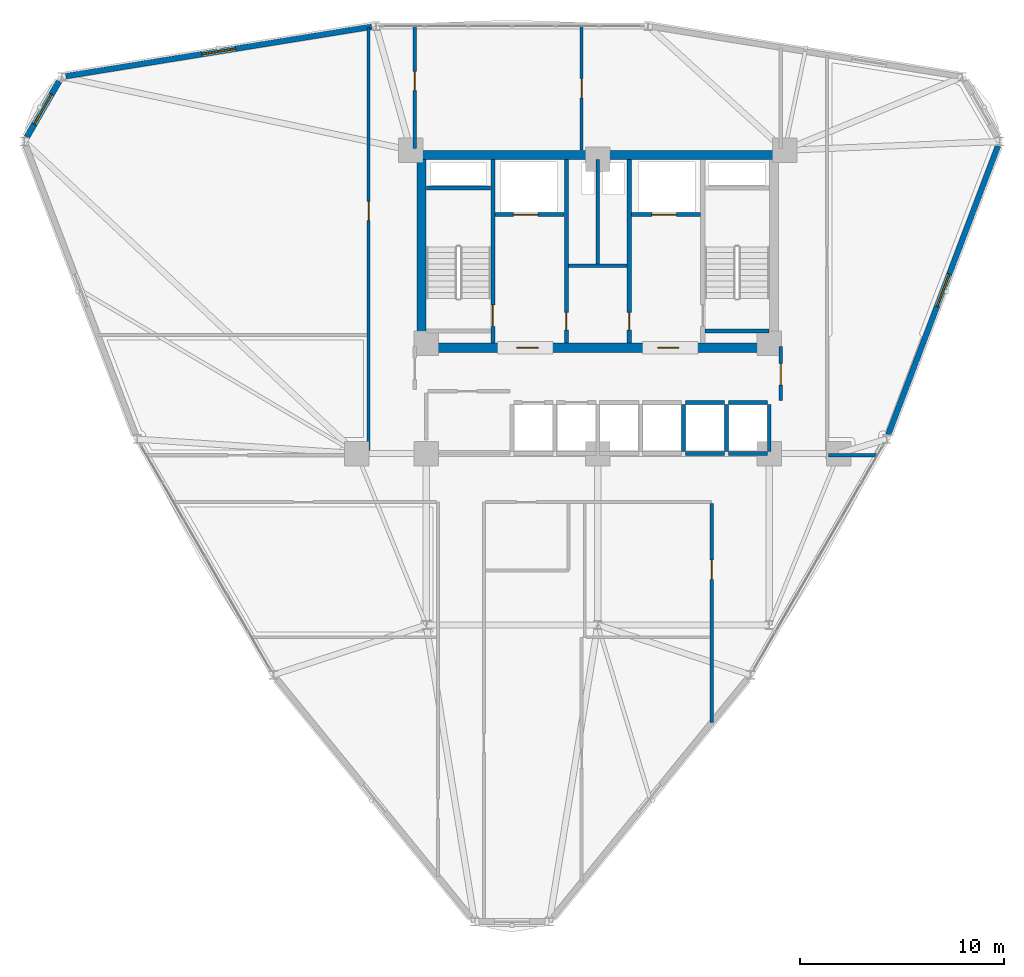
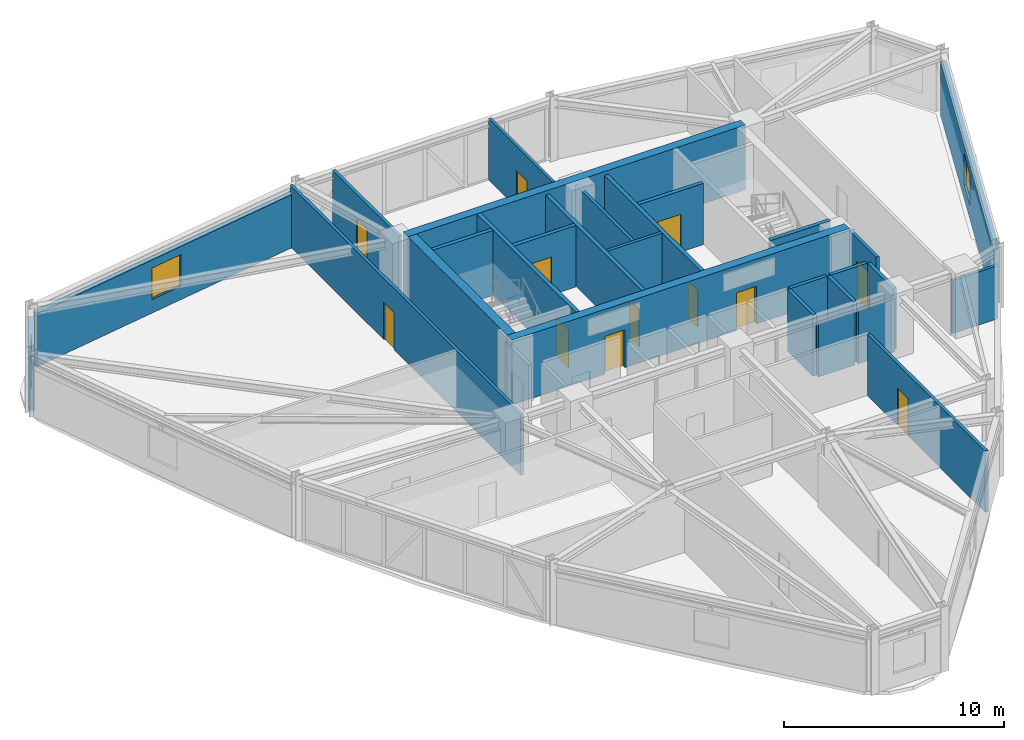
# One storey, part 13 of 18: 28 walls, 12 doors, 3 windows, 15 openings.
"""IFC4 building model written with IfcOpenShell, lengths in metres."""

from ifc_helpers import new_model, si_unit, derived_unit, direction, frame, frame_2d, origin, place, context, subcontext, project, spatial, rectangle, extrude, material, layer, layer_set, type_object, element, fill, save


model = new_model("IFC4")

# Units and contexts
model_context = context("Model", 3, precision=1e-05, world=origin(), true_north=direction((0.0, 1.0)))
body_context = subcontext(model_context, "Body", "Model", "MODEL_VIEW")
ifc_project = project(units=[si_unit("LENGTHUNIT", "METRE"), si_unit("AREAUNIT", "SQUARE_METRE"), si_unit("VOLUMEUNIT", "CUBIC_METRE"), si_unit("PLANEANGLEUNIT", "RADIAN"), si_unit("MASSUNIT", "GRAM", prefix="KILO"), derived_unit("THERMALTRANSMITTANCEUNIT", [(si_unit("POWERUNIT", "WATT"), 1), (si_unit("LENGTHUNIT", "METRE"), -2), (si_unit("THERMODYNAMICTEMPERATUREUNIT", "KELVIN"), -1)])], contexts=[model_context])

# Site, building, storey
site_placement = place(None, origin())
site = spatial("IfcSite", under=ifc_project, at=site_placement, CompositionType="ELEMENT")
building_placement = place(site_placement, origin())
building = spatial("IfcBuilding", under=site, at=building_placement, Name="Korsvarv Bourse and Concert Hall", CompositionType="ELEMENT")
storey_placement = place(building_placement, frame((0.0, 0.0, 139.800048828125)))
storey = spatial("IfcBuildingStorey", under=building, at=storey_placement, Name="L35", CompositionType="ELEMENT", Elevation=139.800048828125)

# Wall, opening, door
ifc_material_1 = material(Name="Concrete C50/60", Category="concrete")
ifc_layer_1 = layer(ifc_material_1, 0.3798828125)
ifc_layer_set_1 = layer_set([ifc_layer_1], Name="Concrete C50/60")
wall_type_1 = type_object("IfcWallType", Name="WL-CORE-380", PredefinedType="SHEAR", material=ifc_layer_set_1)
wall_1_placement = place(storey_placement, frame((30.860107421875, 37.81005859375, 0.0), z_axis=(0.0, 0.0, 1.0), x_axis=(0.0, 1.0, 0.0)))
wall_1 = element("IfcWall", 1, at=wall_1_placement, inside=storey, type_object=wall_type_1, Name="L35 stair shaft structural wall W-L35-ST1-E", PredefinedType="SHEAR", context=body_context, shape_type="SweptSolid", body=[
    extrude(rectangle(XDim=8.97998046875, YDim=0.199951171875, at=frame_2d((4.489990234375, 0.0))), origin(), (0.0, 0.0, 1.0), 3.599853515625),
])
opening_1_placement = place(wall_1_placement, frame((0.820068359375, 0.0, 0.0)))
opening_1 = element("IfcOpeningElement", 2, at=opening_1_placement, cuts=wall_1, Name="Opening D-01", PredefinedType="OPENING", context=body_context, shape_type="SweptSolid", body=[
    extrude(rectangle(XDim=1.050048828125, YDim=2.10009765625, at=frame_2d((0.52490234375, 1.050048828125))), frame((0.0, 0.10986328125, 0.0), z_axis=(0.0, -1.0, 0.0), x_axis=(1.0, 0.0, 0.0)), (0.0, 0.0, 1.0), 0.219970703125),
])
ifc_material_2 = material(Name="Steel S355 fire door", Category="steel")
door_type_1 = type_object("IfcDoorType", Name="DR-FD60", OperationType="NOTDEFINED", PredefinedType="DOOR", material=ifc_material_2)
door_1_placement = place(opening_1_placement, origin())
door_1 = element("IfcDoor", 3, at=door_1_placement, inside=storey, type_object=door_type_1, Name="L35 interior door DR-L35-ST1", OperationType="SINGLE_SWING_LEFT", OverallHeight=2.10009765625, OverallWidth=1.050048828125, PredefinedType="DOOR", context=body_context, shape_type="SweptSolid", body=[
    extrude(rectangle(XDim=1.050048828125, YDim=2.10009765625, at=frame_2d((0.52490234375, 1.050048828125))), frame((0.0, 0.02490234375, 0.0), z_axis=(0.0, -1.0, 0.0), x_axis=(1.0, 0.0, 0.0)), (0.0, 0.0, 1.0), 0.050048828125),
])
fill(opening_1, door_1)

# Walls
for number, where, z_axis, x_axis, name in (
    (4, (27.610107421875, 45.39990234375, 0.0), (0.0, 0.0, 1.0), (1.0, 0.0, 0.0), "L35 stair shaft structural wall W-L35-ST1-N"),
    (5, (41.25, 38.39990234375, 0.0), (0.0, 0.0, 1.0), (1.0, 0.0, 0.0), "L35 stair shaft structural wall W-L35-ST2-S"),
):
    element("IfcWall", number, at=place(storey_placement, frame(where, z_axis=z_axis, x_axis=x_axis)), inside=storey, type_object=wall_type_1, Name=name, PredefinedType="SHEAR", context=body_context, shape_type="SweptSolid", body=[
        extrude(rectangle(XDim=3.139892578125, YDim=0.199951171875, at=frame_2d((1.56982421875, 0.0))), origin(), (0.0, 0.0, 1.0), 3.599853515625),
    ])
ifc_material_3 = material(Name="Concrete C55/67", Category="concrete")
ifc_layer_2 = layer(ifc_material_3, 0.449951171875)
ifc_layer_set_2 = layer_set([ifc_layer_2], Name="Concrete C55/67")
wall_type_2 = type_object("IfcWallType", Name="WL-CORE-450", PredefinedType="SHEAR", material=ifc_layer_set_2)
wall_2_placement = place(storey_placement, frame((27.14990234375, 47.02490234375, 0.0), z_axis=(0.0, 0.0, 1.0), x_axis=(1.0, 0.0, 0.0)))
element("IfcWall", 6, at=wall_2_placement, inside=storey, type_object=wall_type_2, Name="L35 North Core Shear Wall", PredefinedType="SHEAR", context=body_context, shape_type="SweptSolid", body=[
    extrude(rectangle(XDim=17.7001953125, YDim=0.449951171875, at=frame_2d((8.85009765625, 0.0))), origin(), (0.0, 0.0, 1.0), 3.599853515625),
])

# Wall, openings, doors
wall_3_placement = place(storey_placement, frame((27.14990234375, 37.574951171875, 0.0), z_axis=(0.0, 0.0, 1.0), x_axis=(1.0, 0.0, 0.0)))
wall_3 = element("IfcWall", 7, at=wall_3_placement, inside=storey, type_object=wall_type_2, Name="L35 South Core Shear Wall", PredefinedType="SHEAR", context=body_context, shape_type="SweptSolid", body=[
    extrude(rectangle(XDim=17.7001953125, YDim=0.449951171875, at=frame_2d((8.85009765625, 0.0))), origin(), (0.0, 0.0, 1.0), 3.599853515625),
])
opening_2_placement = place(wall_3_placement, frame((4.875, 0.0, 0.0)))
opening_2 = element("IfcOpeningElement", 8, at=opening_2_placement, cuts=wall_3, Name="Opening D-01", PredefinedType="OPENING", context=body_context, shape_type="SweptSolid", body=[
    extrude(rectangle(XDim=1.050048828125, YDim=2.10009765625, at=frame_2d((0.52490234375, 1.050048828125))), frame((0.0, 0.23486328125, 0.0), z_axis=(0.0, -1.0, 0.0), x_axis=(1.0, 0.0, 0.0)), (0.0, 0.0, 1.0), 0.469970703125),
])
opening_3_placement = place(wall_3_placement, frame((11.77490234375, 0.0, 0.0)))
opening_3 = element("IfcOpeningElement", 9, at=opening_3_placement, cuts=wall_3, Name="Opening D-01", PredefinedType="OPENING", context=body_context, shape_type="SweptSolid", body=[
    extrude(rectangle(XDim=1.050048828125, YDim=2.10009765625, at=frame_2d((0.52490234375, 1.050048828125))), frame((0.0, 0.23486328125, 0.0), z_axis=(0.0, -1.0, 0.0), x_axis=(1.0, 0.0, 0.0)), (0.0, 0.0, 1.0), 0.469970703125),
])
door_2_placement = place(opening_2_placement, frame((1.050048828125, 0.0, 0.0), z_axis=(0.0, 0.0, 1.0), x_axis=(-1.0, 0.0, 0.0)))
door_2 = element("IfcDoor", 10, at=door_2_placement, inside=storey, type_object=door_type_1, Name="L35 firefighting lobby fire door DR-L35-FFLW", OperationType="SINGLE_SWING_LEFT", OverallHeight=2.10009765625, OverallWidth=1.050048828125, PredefinedType="DOOR", context=body_context, shape_type="SweptSolid", body=[
    extrude(rectangle(XDim=1.050048828125, YDim=2.10009765625, at=frame_2d((0.52490234375, 1.050048828125))), frame((0.0, 0.02490234375, 0.0), z_axis=(0.0, -1.0, 0.0), x_axis=(1.0, 0.0, 0.0)), (0.0, 0.0, 1.0), 0.050048828125),
])
fill(opening_2, door_2)
door_3_placement = place(opening_3_placement, frame((1.050048828125, 0.0, 0.0), z_axis=(0.0, 0.0, 1.0), x_axis=(-1.0, 0.0, 0.0)))
door_3 = element("IfcDoor", 11, at=door_3_placement, inside=storey, type_object=door_type_1, Name="L35 firefighting lobby fire door DR-L35-FFLE", OperationType="SINGLE_SWING_RIGHT", OverallHeight=2.10009765625, OverallWidth=1.050048828125, PredefinedType="DOOR", context=body_context, shape_type="SweptSolid", body=[
    extrude(rectangle(XDim=1.050048828125, YDim=2.10009765625, at=frame_2d((0.52490234375, 1.050048828125))), frame((0.0, 0.02490234375, 0.0), z_axis=(0.0, -1.0, 0.0), x_axis=(1.0, 0.0, 0.0)), (0.0, 0.0, 1.0), 0.050048828125),
])
fill(opening_3, door_3)

# Wall
wall_4_placement = place(storey_placement, frame((27.375, 37.800048828125, 0.0), z_axis=(0.0, 0.0, 1.0), x_axis=(0.0, 1.0, 0.0)))
element("IfcWall", 12, at=wall_4_placement, inside=storey, type_object=wall_type_2, Name="L35 West Core Shear Wall", PredefinedType="SHEAR", context=body_context, shape_type="SweptSolid", body=[
    extrude(rectangle(XDim=9.0, YDim=0.449951171875, at=frame_2d((4.5, 0.0))), origin(), (0.0, 0.0, 1.0), 3.599853515625),
])

# Wall, opening, window
ifc_material_4 = material(Name="Precast concrete C45/55 with terracotta rainscreen", Category="concrete")
ifc_layer_3 = layer(ifc_material_4, 0.300048828125)
ifc_layer_set_3 = layer_set([ifc_layer_3], Name="Precast concrete C45/55 with terracotta rainscreen")
wall_type_3 = type_object("IfcWallType", Name="WL-EXT-TC1", PredefinedType="SOLIDWALL", material=ifc_layer_set_3)
wall_5_placement = place(storey_placement, frame((9.614990234375, 50.62451171875, 0.0), z_axis=(0.0, 0.0, 1.0), x_axis=(-0.499995674689, -0.86602790099, 0.0)))
wall_5 = element("IfcWall", 13, at=wall_5_placement, inside=storey, type_object=wall_type_3, Name="L35 terracotta exterior wall EW-L35-B05", PredefinedType="SOLIDWALL", context=body_context, shape_type="SweptSolid", body=[
    extrude(rectangle(XDim=3.1455078125, YDim=0.300048828125, at=frame_2d((1.57275390625, 0.0))), origin(), (0.0, 0.0, 1.0), 3.0),
])
opening_4_placement = place(wall_5_placement, frame((0.72265625, 0.0, 0.75)))
opening_4 = element("IfcOpeningElement", 14, at=opening_4_placement, cuts=wall_5, Name="Opening W-01", PredefinedType="OPENING", context=body_context, shape_type="SweptSolid", body=[
    extrude(rectangle(XDim=1.699951171875, YDim=1.75, at=frame_2d((0.85009765625, 0.875))), frame((0.0, 0.16015625, 0.0), z_axis=(0.0, -1.0, 0.0), x_axis=(1.0, 0.0, 0.0)), (0.0, 0.0, 1.0), 0.320068359375),
])
ifc_material_5 = material(Name="Thermally broken aluminium frame with triple low-E glass", Category="glass")
window_type = type_object("IfcWindowType", Name="WIN-TW1", PartitioningType="SINGLE_PANEL", PredefinedType="WINDOW", material=ifc_material_5)
window_1_placement = place(opening_4_placement, origin())
window_1 = element("IfcWindow", 15, at=window_1_placement, inside=storey, type_object=window_type, Name="L35 punched facade window W-01", OverallHeight=1.75, OverallWidth=1.699951171875, PartitioningType="SINGLE_PANEL", PredefinedType="WINDOW", context=body_context, shape_type="SweptSolid", body=[
    extrude(rectangle(XDim=1.699951171875, YDim=1.75, at=frame_2d((0.85009765625, 0.875))), frame((0.0, 0.030029296875, 0.0), z_axis=(0.0, -1.0, 0.0), x_axis=(1.0, 0.0, 0.0)), (0.0, 0.0, 1.0), 0.06005859375),
])
fill(opening_4, window_1)

ifc_material_6 = material(Name="Precast concrete C45/55 with fluted terracotta pier", Category="concrete")
ifc_layer_4 = layer(ifc_material_6, 0.280029296875)
ifc_layer_set_4 = layer_set([ifc_layer_4], Name="Precast concrete C45/55 with fluted terracotta pier")
wall_type_4 = type_object("IfcWallType", Name="WL-EXT-TC2", PredefinedType="SOLIDWALL", material=ifc_layer_set_4)
wall_6_placement = place(storey_placement, frame((24.92529296875, 53.302978515625, 0.0), z_axis=(0.0, 0.0, 1.0), x_axis=(-0.987165905884, -0.159698072185, 0.0)))
wall_6 = element("IfcWall", 16, at=wall_6_placement, inside=storey, type_object=wall_type_4, Name="L35 terracotta exterior wall EW-L35-B04", PredefinedType="SOLIDWALL", context=body_context, shape_type="SweptSolid", body=[
    extrude(rectangle(XDim=15.165283203125, YDim=0.280029296875, at=frame_2d((7.58251953125, 0.0))), origin(), (0.0, 0.0, 1.0), 2.949951171875),
])
opening_5_placement = place(wall_6_placement, frame((6.732666015625, 0.0, 0.75)))
opening_5 = element("IfcOpeningElement", 17, at=opening_5_placement, cuts=wall_6, Name="Opening W-01", PredefinedType="OPENING", context=body_context, shape_type="SweptSolid", body=[
    extrude(rectangle(XDim=1.699951171875, YDim=1.75, at=frame_2d((0.85009765625, 0.875))), frame((0.0, 0.14990234375, 0.0), z_axis=(0.0, -1.0, 0.0), x_axis=(1.0, 0.0, 0.0)), (0.0, 0.0, 1.0), 0.300048828125),
])
window_2_placement = place(opening_5_placement, origin())
window_2 = element("IfcWindow", 18, at=window_2_placement, inside=storey, type_object=window_type, Name="L35 punched facade window W-01", OverallHeight=1.75, OverallWidth=1.699951171875, PartitioningType="SINGLE_PANEL", PredefinedType="WINDOW", context=body_context, shape_type="SweptSolid", body=[
    extrude(rectangle(XDim=1.699951171875, YDim=1.75, at=frame_2d((0.85009765625, 0.875))), frame((0.0, 0.030029296875, 0.0), z_axis=(0.0, -1.0, 0.0), x_axis=(1.0, 0.0, 0.0)), (0.0, 0.0, 1.0), 0.06005859375),
])
fill(opening_5, window_2)

wall_7_placement = place(storey_placement, frame((50.230712890625, 33.324951171875, 0.0), z_axis=(0.0, 0.0, 1.0), x_axis=(0.355288039197, 0.934756871707, 0.0)))
wall_7 = element("IfcWall", 19, at=wall_7_placement, inside=storey, type_object=wall_type_4, Name="L35 terracotta exterior wall EW-L35-B12", PredefinedType="SOLIDWALL", context=body_context, shape_type="SweptSolid", body=[
    extrude(rectangle(XDim=15.116943359375, YDim=0.280029296875, at=frame_2d((7.55859375, 0.0))), origin(), (0.0, 0.0, 1.0), 3.0),
])
opening_6_placement = place(wall_7_placement, frame((6.70849609375, 0.0, 0.75)))
opening_6 = element("IfcOpeningElement", 20, at=opening_6_placement, cuts=wall_7, Name="Opening W-01", PredefinedType="OPENING", context=body_context, shape_type="SweptSolid", body=[
    extrude(rectangle(XDim=1.699951171875, YDim=1.75, at=frame_2d((0.85009765625, 0.875))), frame((0.0, 0.14990234375, 0.0), z_axis=(0.0, -1.0, 0.0), x_axis=(1.0, 0.0, 0.0)), (0.0, 0.0, 1.0), 0.300048828125),
])
window_3_placement = place(opening_6_placement, origin())
window_3 = element("IfcWindow", 21, at=window_3_placement, inside=storey, type_object=window_type, Name="L35 punched facade window W-01", OverallHeight=1.75, OverallWidth=1.699951171875, PartitioningType="SINGLE_PANEL", PredefinedType="WINDOW", context=body_context, shape_type="SweptSolid", body=[
    extrude(rectangle(XDim=1.699951171875, YDim=1.75, at=frame_2d((0.85009765625, 0.875))), frame((0.0, 0.030029296875, 0.0), z_axis=(0.0, -1.0, 0.0), x_axis=(1.0, 0.0, 0.0)), (0.0, 0.0, 1.0), 0.06005859375),
])
fill(opening_6, window_3)

# Wall, opening, door
ifc_material_7 = material(Name="Reinforced concrete blockwork C35/45 fire wall", Category="concrete")
ifc_layer_5 = layer(ifc_material_7, 0.199951171875)
ifc_layer_set_5 = layer_set([ifc_layer_5], Name="Reinforced concrete blockwork C35/45 fire wall")
wall_type_5 = type_object("IfcWallType", Name="WL-INT-EI120", PredefinedType="PARTITIONING", material=ifc_layer_set_5)
wall_8_placement = place(storey_placement, frame((30.969970703125, 44.10009765625, 0.0), z_axis=(0.0, 0.0, 1.0), x_axis=(1.0, 0.0, 0.0)))
wall_8 = element("IfcWall", 22, at=wall_8_placement, inside=storey, type_object=wall_type_5, Name="L35 interior partition wall W-L35-FF1-S", PredefinedType="PARTITIONING", context=body_context, shape_type="SweptSolid", body=[
    extrude(rectangle(XDim=3.380126953125, YDim=0.199951171875, at=frame_2d((1.68994140625, 0.0))), origin(), (0.0, 0.0, 1.0), 3.39990234375),
])
opening_7_placement = place(wall_8_placement, frame((0.89990234375, 0.0, 0.0)))
opening_7 = element("IfcOpeningElement", 23, at=opening_7_placement, cuts=wall_8, Name="Opening LD-1", PredefinedType="OPENING", context=body_context, shape_type="SweptSolid", body=[
    extrude(rectangle(XDim=1.199951171875, YDim=2.10009765625, at=frame_2d((0.60009765625, 1.050048828125))), frame((0.0, 0.10986328125, 0.0), z_axis=(0.0, -1.0, 0.0), x_axis=(1.0, 0.0, 0.0)), (0.0, 0.0, 1.0), 0.219970703125),
])
ifc_material_8 = material(Name="Stainless Steel S355 firefighting lift landing door", Category="steel")
door_type_2 = type_object("IfcDoorType", Name="DR-LIFT-FF", OperationType="DOUBLE_DOOR_SLIDING", PredefinedType="DOOR", material=ifc_material_8)
door_4_placement = place(opening_7_placement, origin())
door_4 = element("IfcDoor", 24, at=door_4_placement, inside=storey, type_object=door_type_2, Name="L35 lift sliding landing door LD-L35-FF1", OperationType="DOUBLE_DOOR_SLIDING", OverallHeight=2.10009765625, OverallWidth=1.199951171875, PredefinedType="DOOR", context=body_context, shape_type="SweptSolid", body=[
    extrude(rectangle(XDim=1.199951171875, YDim=2.10009765625, at=frame_2d((0.60009765625, 1.050048828125))), frame((0.0, 0.02490234375, 0.0), z_axis=(0.0, -1.0, 0.0), x_axis=(1.0, 0.0, 0.0)), (0.0, 0.0, 1.0), 0.050048828125),
])
fill(opening_7, door_4)

wall_9_placement = place(storey_placement, frame((37.64990234375, 44.10009765625, 0.0), z_axis=(0.0, 0.0, 1.0), x_axis=(1.0, 0.0, 0.0)))
wall_9 = element("IfcWall", 25, at=wall_9_placement, inside=storey, type_object=wall_type_5, Name="L35 interior partition wall W-L35-FF2-S", PredefinedType="PARTITIONING", context=body_context, shape_type="SweptSolid", body=[
    extrude(rectangle(XDim=3.380126953125, YDim=0.199951171875, at=frame_2d((1.68994140625, 0.0))), origin(), (0.0, 0.0, 1.0), 3.39990234375),
])
opening_8_placement = place(wall_9_placement, frame((1.0, 0.0, 0.0)))
opening_8 = element("IfcOpeningElement", 26, at=opening_8_placement, cuts=wall_9, Name="Opening LD-1", PredefinedType="OPENING", context=body_context, shape_type="SweptSolid", body=[
    extrude(rectangle(XDim=1.199951171875, YDim=2.10009765625, at=frame_2d((0.60009765625, 1.050048828125))), frame((0.0, 0.10986328125, 0.0), z_axis=(0.0, -1.0, 0.0), x_axis=(1.0, 0.0, 0.0)), (0.0, 0.0, 1.0), 0.219970703125),
])
door_5_placement = place(opening_8_placement, origin())
door_5 = element("IfcDoor", 27, at=door_5_placement, inside=storey, type_object=door_type_2, Name="L35 lift sliding landing door LD-L35-FF2", OperationType="DOUBLE_DOOR_SLIDING", OverallHeight=2.10009765625, OverallWidth=1.199951171875, PredefinedType="DOOR", context=body_context, shape_type="SweptSolid", body=[
    extrude(rectangle(XDim=1.199951171875, YDim=2.10009765625, at=frame_2d((0.60009765625, 1.050048828125))), frame((0.0, 0.02490234375, 0.0), z_axis=(0.0, -1.0, 0.0), x_axis=(1.0, 0.0, 0.0)), (0.0, 0.0, 1.0), 0.050048828125),
])
fill(opening_8, door_5)

wall_10_placement = place(storey_placement, frame((34.4599609375, 37.81005859375, 0.0), z_axis=(0.0, 0.0, 1.0), x_axis=(0.0, 1.0, 0.0)))
wall_10 = element("IfcWall", 28, at=wall_10_placement, inside=storey, type_object=wall_type_5, Name="L35 interior partition wall W-L35-CSB-W", PredefinedType="PARTITIONING", context=body_context, shape_type="SweptSolid", body=[
    extrude(rectangle(XDim=8.97998046875, YDim=0.199951171875, at=frame_2d((4.489990234375, 0.0))), origin(), (0.0, 0.0, 1.0), 3.39990234375),
])
opening_9_placement = place(wall_10_placement, frame((0.64990234375, 0.0, 0.0)))
opening_9 = element("IfcOpeningElement", 29, at=opening_9_placement, cuts=wall_10, Name="Opening D-05", PredefinedType="OPENING", context=body_context, shape_type="SweptSolid", body=[
    extrude(rectangle(XDim=0.85009765625, YDim=2.050048828125, at=frame_2d((0.425048828125, 1.02490234375))), frame((0.0, 0.10986328125, 0.0), z_axis=(0.0, -1.0, 0.0), x_axis=(1.0, 0.0, 0.0)), (0.0, 0.0, 1.0), 0.219970703125),
])
door_type_3 = type_object("IfcDoorType", Name="DR-FD60-850X2050", OperationType="NOTDEFINED", PredefinedType="DOOR", material=ifc_material_2)
door_6_placement = place(opening_9_placement, frame((0.85009765625, 0.0, 0.0), z_axis=(0.0, 0.0, 1.0), x_axis=(-1.0, 0.0, 0.0)))
door_6 = element("IfcDoor", 30, at=door_6_placement, inside=storey, type_object=door_type_3, Name="L35 interior door DR-L35-CSB1", OperationType="SINGLE_SWING_LEFT", OverallHeight=2.050048828125, OverallWidth=0.85009765625, PredefinedType="DOOR", context=body_context, shape_type="SweptSolid", body=[
    extrude(rectangle(XDim=0.85009765625, YDim=2.050048828125, at=frame_2d((0.425048828125, 1.02490234375))), frame((0.0, 0.02490234375, 0.0), z_axis=(0.0, -1.0, 0.0), x_axis=(1.0, 0.0, 0.0)), (0.0, 0.0, 1.0), 0.050048828125),
])
fill(opening_9, door_6)

wall_11_placement = place(storey_placement, frame((37.5400390625, 37.81005859375, 0.0), z_axis=(0.0, 0.0, 1.0), x_axis=(0.0, 1.0, 0.0)))
wall_11 = element("IfcWall", 31, at=wall_11_placement, inside=storey, type_object=wall_type_5, Name="L35 interior partition wall W-L35-CSB-E", PredefinedType="PARTITIONING", context=body_context, shape_type="SweptSolid", body=[
    extrude(rectangle(XDim=8.97998046875, YDim=0.199951171875, at=frame_2d((4.489990234375, 0.0))), origin(), (0.0, 0.0, 1.0), 3.39990234375),
])
opening_10_placement = place(wall_11_placement, frame((0.64990234375, 0.0, 0.0)))
opening_10 = element("IfcOpeningElement", 32, at=opening_10_placement, cuts=wall_11, Name="Opening D-05", PredefinedType="OPENING", context=body_context, shape_type="SweptSolid", body=[
    extrude(rectangle(XDim=0.85009765625, YDim=2.050048828125, at=frame_2d((0.425048828125, 1.02490234375))), frame((0.0, 0.10986328125, 0.0), z_axis=(0.0, -1.0, 0.0), x_axis=(1.0, 0.0, 0.0)), (0.0, 0.0, 1.0), 0.219970703125),
])
door_7_placement = place(opening_10_placement, origin())
door_7 = element("IfcDoor", 33, at=door_7_placement, inside=storey, type_object=door_type_3, Name="L35 interior door DR-L35-CSB2", OperationType="SINGLE_SWING_RIGHT", OverallHeight=2.050048828125, OverallWidth=0.85009765625, PredefinedType="DOOR", context=body_context, shape_type="SweptSolid", body=[
    extrude(rectangle(XDim=0.85009765625, YDim=2.050048828125, at=frame_2d((0.425048828125, 1.02490234375))), frame((0.0, 0.02490234375, 0.0), z_axis=(0.0, -1.0, 0.0), x_axis=(1.0, 0.0, 0.0)), (0.0, 0.0, 1.0), 0.050048828125),
])
fill(opening_10, door_7)

# Walls
ifc_material_9 = material(Name="Double-stud fire-rated acoustic partition", Category="gypsum")
ifc_layer_6 = layer(ifc_material_9, 0.159912109375)
ifc_layer_set_6 = layer_set([ifc_layer_6], Name="Double-stud fire-rated acoustic partition")
wall_type_6 = type_object("IfcWallType", Name="WL-INT-EI60", PredefinedType="PARTITIONING", material=ifc_layer_set_6)
wall_12_placement = place(storey_placement, frame((34.570068359375, 41.60009765625, 0.0), z_axis=(0.0, 0.0, 1.0), x_axis=(1.0, 0.0, 0.0)))
element("IfcWall", 34, at=wall_12_placement, inside=storey, type_object=wall_type_6, Name="L35 interior partition wall W-L35-K1", PredefinedType="PARTITIONING", context=body_context, shape_type="SweptSolid", body=[
    extrude(rectangle(XDim=2.85986328125, YDim=0.159912109375, at=frame_2d((1.429931640625, 0.0))), origin(), (0.0, 0.0, 1.0), 3.39990234375),
])
wall_13_placement = place(storey_placement, frame((36.0048828125, 41.68994140625, 0.0), z_axis=(0.0, 0.0, 1.0), x_axis=(0.0, 1.0, 0.0)))
element("IfcWall", 35, at=wall_13_placement, inside=storey, type_object=wall_type_6, Name="L35 interior partition wall W-L35-K2", PredefinedType="PARTITIONING", context=body_context, shape_type="SweptSolid", body=[
    extrude(rectangle(XDim=5.10009765625, YDim=0.159912109375, at=frame_2d((2.550048828125, 0.0))), origin(), (0.0, 0.0, 1.0), 3.39990234375),
])

# Wall, opening, door
wall_14_placement = place(storey_placement, frame((44.9599609375, 35.0, 0.0), z_axis=(0.0, 0.0, 1.0), x_axis=(0.0, 1.0, 0.0)))
wall_14 = element("IfcWall", 36, at=wall_14_placement, inside=storey, type_object=wall_type_6, Name="L35 interior partition wall W-L35-LOB-E", PredefinedType="PARTITIONING", context=body_context, shape_type="SweptSolid", body=[
    extrude(rectangle(XDim=2.64990234375, YDim=0.159912109375, at=frame_2d((1.324951171875, 0.0))), origin(), (0.0, 0.0, 1.0), 3.39990234375),
])
opening_11_placement = place(wall_14_placement, frame((0.75, 0.0, 0.0)))
opening_11 = element("IfcOpeningElement", 37, at=opening_11_placement, cuts=wall_14, Name="Opening D-01", PredefinedType="OPENING", context=body_context, shape_type="SweptSolid", body=[
    extrude(rectangle(XDim=1.050048828125, YDim=2.10009765625, at=frame_2d((0.52490234375, 1.050048828125))), frame((0.0, 0.08984375, 0.0), z_axis=(0.0, -1.0, 0.0), x_axis=(1.0, 0.0, 0.0)), (0.0, 0.0, 1.0), 0.179931640625),
])
door_8_placement = place(opening_11_placement, origin())
door_8 = element("IfcDoor", 38, at=door_8_placement, inside=storey, type_object=door_type_1, Name="L35 interior door DR-L35-LOBE", OperationType="SINGLE_SWING_LEFT", OverallHeight=2.10009765625, OverallWidth=1.050048828125, PredefinedType="DOOR", context=body_context, shape_type="SweptSolid", body=[
    extrude(rectangle(XDim=1.050048828125, YDim=2.10009765625, at=frame_2d((0.52490234375, 1.050048828125))), frame((0.0, 0.02490234375, 0.0), z_axis=(0.0, -1.0, 0.0), x_axis=(1.0, 0.0, 0.0)), (0.0, 0.0, 1.0), 0.050048828125),
])
fill(opening_11, door_8)

wall_15_placement = place(storey_placement, frame((24.77490234375, 32.31005859375, 0.0), z_axis=(0.0, 0.0, 1.0), x_axis=(0.0, 1.0, 0.0)))
wall_15 = element("IfcWall", 39, at=wall_15_placement, inside=storey, type_object=wall_type_6, Name="L35 interior partition wall W-L35-TCOR-01", PredefinedType="PARTITIONING", context=body_context, shape_type="SweptSolid", body=[
    extrude(rectangle(XDim=20.948486328125, YDim=0.159912109375, at=frame_2d((10.47412109375, 0.0))), origin(), (0.0, 0.0, 1.0), 3.39990234375),
])
opening_12_placement = place(wall_15_placement, frame((11.48828125, 0.0, 0.0)))
opening_12 = element("IfcOpeningElement", 40, at=opening_12_placement, cuts=wall_15, Name="Opening D-02", PredefinedType="OPENING", context=body_context, shape_type="SweptSolid", body=[
    extrude(rectangle(XDim=0.949951171875, YDim=2.050048828125, at=frame_2d((0.47509765625, 1.02490234375))), frame((0.0, 0.08984375, 0.0), z_axis=(0.0, -1.0, 0.0), x_axis=(1.0, 0.0, 0.0)), (0.0, 0.0, 1.0), 0.179931640625),
])
ifc_material_10 = material(Name="Timber and steel acoustic fire door", Category="wood")
door_type_4 = type_object("IfcDoorType", Name="DR-FD30", OperationType="NOTDEFINED", PredefinedType="DOOR", material=ifc_material_10)
door_9_placement = place(opening_12_placement, origin())
door_9 = element("IfcDoor", 41, at=door_9_placement, inside=storey, type_object=door_type_4, Name="L35 interior door DR-L35-TCOR-MI710", OperationType="SINGLE_SWING_RIGHT", OverallHeight=2.050048828125, OverallWidth=0.949951171875, PredefinedType="DOOR", context=body_context, shape_type="SweptSolid", body=[
    extrude(rectangle(XDim=0.949951171875, YDim=2.050048828125, at=frame_2d((0.47509765625, 1.02490234375))), frame((0.0, 0.02490234375, 0.0), z_axis=(0.0, -1.0, 0.0), x_axis=(1.0, 0.0, 0.0)), (0.0, 0.0, 1.0), 0.050048828125),
])
fill(opening_12, door_9)

wall_16_placement = place(storey_placement, frame((41.574951171875, 19.24072265625, 0.0), z_axis=(0.0, 0.0, 1.0), x_axis=(0.0, 1.0, 0.0)))
wall_16 = element("IfcWall", 42, at=wall_16_placement, inside=storey, type_object=wall_type_6, Name="L35 interior partition wall W-L35-TCOR-08", PredefinedType="PARTITIONING", context=body_context, shape_type="SweptSolid", body=[
    extrude(rectangle(XDim=10.702392578125, YDim=0.159912109375, at=frame_2d((5.35107421875, 0.0))), origin(), (0.0, 0.0, 1.0), 3.39990234375),
])
opening_13_placement = place(wall_16_placement, frame((7.001953125, 0.0, 0.0)))
opening_13 = element("IfcOpeningElement", 43, at=opening_13_placement, cuts=wall_16, Name="Opening D-02", PredefinedType="OPENING", context=body_context, shape_type="SweptSolid", body=[
    extrude(rectangle(XDim=0.949951171875, YDim=2.050048828125, at=frame_2d((0.47509765625, 1.02490234375))), frame((0.0, 0.08984375, 0.0), z_axis=(0.0, -1.0, 0.0), x_axis=(1.0, 0.0, 0.0)), (0.0, 0.0, 1.0), 0.179931640625),
])
door_10_placement = place(opening_13_placement, origin())
door_10 = element("IfcDoor", 44, at=door_10_placement, inside=storey, type_object=door_type_4, Name="L35 interior door DR-L35-TCOR-MI26", OperationType="SINGLE_SWING_LEFT", OverallHeight=2.050048828125, OverallWidth=0.949951171875, PredefinedType="DOOR", context=body_context, shape_type="SweptSolid", body=[
    extrude(rectangle(XDim=0.949951171875, YDim=2.050048828125, at=frame_2d((0.47509765625, 1.02490234375))), frame((0.0, 0.02490234375, 0.0), z_axis=(0.0, -1.0, 0.0), x_axis=(1.0, 0.0, 0.0)), (0.0, 0.0, 1.0), 0.050048828125),
])
fill(opening_13, door_10)

wall_17_placement = place(storey_placement, frame((27.034912109375, 47.340087890625, 0.0), z_axis=(0.0, 0.0, 1.0), x_axis=(0.0, 1.0, 0.0)))
wall_17 = element("IfcWall", 45, at=wall_17_placement, inside=storey, type_object=wall_type_6, Name="L35 interior partition wall W-L35-TCOR-09", PredefinedType="PARTITIONING", context=body_context, shape_type="SweptSolid", body=[
    extrude(rectangle(XDim=5.976806640625, YDim=0.159912109375, at=frame_2d((2.98828125, 0.0))), origin(), (0.0, 0.0, 1.0), 3.39990234375),
])
opening_14_placement = place(wall_17_placement, frame((2.826904296875, 0.0, 0.0)))
opening_14 = element("IfcOpeningElement", 46, at=opening_14_placement, cuts=wall_17, Name="Opening D-02", PredefinedType="OPENING", context=body_context, shape_type="SweptSolid", body=[
    extrude(rectangle(XDim=0.949951171875, YDim=2.050048828125, at=frame_2d((0.47509765625, 1.02490234375))), frame((0.0, 0.08984375, 0.0), z_axis=(0.0, -1.0, 0.0), x_axis=(1.0, 0.0, 0.0)), (0.0, 0.0, 1.0), 0.179931640625),
])
door_11_placement = place(opening_14_placement, origin())
door_11 = element("IfcDoor", 47, at=door_11_placement, inside=storey, type_object=door_type_4, Name="L35 interior door DR-L35-TCOR-RM22", OperationType="SINGLE_SWING_RIGHT", OverallHeight=2.050048828125, OverallWidth=0.949951171875, PredefinedType="DOOR", context=body_context, shape_type="SweptSolid", body=[
    extrude(rectangle(XDim=0.949951171875, YDim=2.050048828125, at=frame_2d((0.47509765625, 1.02490234375))), frame((0.0, 0.02490234375, 0.0), z_axis=(0.0, -1.0, 0.0), x_axis=(1.0, 0.0, 0.0)), (0.0, 0.0, 1.0), 0.050048828125),
])
fill(opening_14, door_11)

# Walls
wall_18_placement = place(storey_placement, frame((47.306884765625, 32.31494140625, 0.0), z_axis=(0.0, 0.0, 1.0), x_axis=(1.0, 0.0, 0.0)))
element("IfcWall", 48, at=wall_18_placement, inside=storey, type_object=wall_type_6, Name="L35 interior partition wall W-L35-TCOR-11", PredefinedType="PARTITIONING", context=body_context, shape_type="SweptSolid", body=[
    extrude(rectangle(XDim=2.364501953125, YDim=0.159912109375, at=frame_2d((1.18212890625, 0.0))), origin(), (0.0, 0.0, 1.0), 2.949951171875),
])
ifc_material_11 = material(Name="Gypsum-clad autoclaved concrete shaft wall C30/37", Category="concrete")
ifc_layer_7 = layer(ifc_material_11, 0.179931640625)
ifc_layer_set_7 = layer_set([ifc_layer_7], Name="Gypsum-clad autoclaved concrete shaft wall C30/37")
wall_type_7 = type_object("IfcWallType", Name="WL-INT-EI90", PredefinedType="PARTITIONING", material=ifc_layer_set_7)
wall_19_placement = place(storey_placement, frame((40.2900390625, 34.89990234375, 0.0), z_axis=(0.0, 0.0, 1.0), x_axis=(1.0, 0.0, 0.0)))
element("IfcWall", 49, at=wall_19_placement, inside=storey, type_object=wall_type_7, Name="L35 interior partition wall W-L35-SHFN-PO1", PredefinedType="PARTITIONING", context=body_context, shape_type="SweptSolid", body=[
    extrude(rectangle(XDim=1.919921875, YDim=0.179931640625, at=frame_2d((0.9599609375, 0.0))), origin(), (0.0, 0.0, 1.0), 3.39990234375),
])
wall_20_placement = place(storey_placement, frame((40.2900390625, 32.39990234375, 0.0), z_axis=(0.0, 0.0, 1.0), x_axis=(1.0, 0.0, 0.0)))
element("IfcWall", 50, at=wall_20_placement, inside=storey, type_object=wall_type_7, Name="L35 interior partition wall W-L35-SHFS-PO1", PredefinedType="PARTITIONING", context=body_context, shape_type="SweptSolid", body=[
    extrude(rectangle(XDim=1.919921875, YDim=0.179931640625, at=frame_2d((0.9599609375, 0.0))), origin(), (0.0, 0.0, 1.0), 2.949951171875),
])
wall_21_placement = place(storey_placement, frame((40.199951171875, 32.489990234375, 0.0), z_axis=(0.0, 0.0, 1.0), x_axis=(0.0, 1.0, 0.0)))
element("IfcWall", 51, at=wall_21_placement, inside=storey, type_object=wall_type_7, Name="L35 interior partition wall W-L35-SHFW-PO1", PredefinedType="PARTITIONING", context=body_context, shape_type="SweptSolid", body=[
    extrude(rectangle(XDim=2.320068359375, YDim=0.179931640625, at=frame_2d((1.16015625, 0.0))), origin(), (0.0, 0.0, 1.0), 3.39990234375),
])
wall_22_placement = place(storey_placement, frame((42.389892578125, 34.89990234375, 0.0), z_axis=(0.0, 0.0, 1.0), x_axis=(1.0, 0.0, 0.0)))
element("IfcWall", 52, at=wall_22_placement, inside=storey, type_object=wall_type_7, Name="L35 interior partition wall W-L35-SHFN-PO2", PredefinedType="PARTITIONING", context=body_context, shape_type="SweptSolid", body=[
    extrude(rectangle(XDim=1.920166015625, YDim=0.179931640625, at=frame_2d((0.9599609375, 0.0))), origin(), (0.0, 0.0, 1.0), 3.39990234375),
])
wall_23_placement = place(storey_placement, frame((42.389892578125, 32.39990234375, 0.0), z_axis=(0.0, 0.0, 1.0), x_axis=(1.0, 0.0, 0.0)))
element("IfcWall", 53, at=wall_23_placement, inside=storey, type_object=wall_type_7, Name="L35 interior partition wall W-L35-SHFS-PO2", PredefinedType="PARTITIONING", context=body_context, shape_type="SweptSolid", body=[
    extrude(rectangle(XDim=1.920166015625, YDim=0.179931640625, at=frame_2d((0.9599609375, 0.0))), origin(), (0.0, 0.0, 1.0), 2.949951171875),
])
for number, where, z_axis, x_axis, name in (
    (54, (42.300048828125, 32.489990234375, 0.0), (0.0, 0.0, 1.0), (0.0, 1.0, 0.0), "L35 interior partition wall W-L35-SHFW-PO2"),
    (55, (44.39990234375, 32.489990234375, 0.0), (0.0, 0.0, 1.0), (0.0, 1.0, 0.0), "L35 interior partition wall W-L35-SHFE-END"),
):
    element("IfcWall", number, at=place(storey_placement, frame(where, z_axis=z_axis, x_axis=x_axis)), inside=storey, type_object=wall_type_7, Name=name, PredefinedType="PARTITIONING", context=body_context, shape_type="SweptSolid", body=[
        extrude(rectangle(XDim=2.320068359375, YDim=0.179931640625, at=frame_2d((1.16015625, 0.0))), origin(), (0.0, 0.0, 1.0), 3.39990234375),
    ])

# Wall, opening, door
ifc_material_12 = material(Name="Insulated steel-stud office acoustic partition", Category="gypsum")
ifc_layer_8 = layer(ifc_material_12, 0.139892578125)
ifc_layer_set_8 = layer_set([ifc_layer_8], Name="Insulated steel-stud office acoustic partition")
wall_type_8 = type_object("IfcWallType", Name="WL-INT-P1", PredefinedType="PARTITIONING", material=ifc_layer_set_8)
wall_24_placement = place(storey_placement, frame((35.205078125, 47.251953125, 0.0), z_axis=(0.0, 0.0, 1.0), x_axis=(0.0, 1.0, 0.0)))
wall_24 = element("IfcWall", 56, at=wall_24_placement, inside=storey, type_object=wall_type_8, Name="L35 interior partition wall W-L35-TCOR-17", PredefinedType="PARTITIONING", context=body_context, shape_type="SweptSolid", body=[
    extrude(rectangle(XDim=6.06494140625, YDim=0.139892578125, at=frame_2d((3.032470703125, 0.0))), origin(), (0.0, 0.0, 1.0), 3.39990234375),
])
opening_15_placement = place(wall_24_placement, frame((2.5576171875, 0.0, 0.0)))
opening_15 = element("IfcOpeningElement", 57, at=opening_15_placement, cuts=wall_24, Name="Opening D-03", PredefinedType="OPENING", context=body_context, shape_type="SweptSolid", body=[
    extrude(rectangle(XDim=0.949951171875, YDim=2.050048828125, at=frame_2d((0.47509765625, 1.02490234375))), frame((0.0, 0.080078125, 0.0), z_axis=(0.0, -1.0, 0.0), x_axis=(1.0, 0.0, 0.0)), (0.0, 0.0, 1.0), 0.159912109375),
])
ifc_material_13 = material(Name="Nordic oak acoustic office door", Category="wood")
door_type_5 = type_object("IfcDoorType", Name="DR-INT-1", OperationType="NOTDEFINED", PredefinedType="DOOR", material=ifc_material_13)
door_12_placement = place(opening_15_placement, origin())
door_12 = element("IfcDoor", 58, at=door_12_placement, inside=storey, type_object=door_type_5, Name="L35 interior door DR-L35-TCOR-RM33", OperationType="SINGLE_SWING_RIGHT", OverallHeight=2.050048828125, OverallWidth=0.949951171875, PredefinedType="DOOR", context=body_context, shape_type="SweptSolid", body=[
    extrude(rectangle(XDim=0.949951171875, YDim=2.050048828125, at=frame_2d((0.47509765625, 1.02490234375))), frame((0.0, 0.02490234375, 0.0), z_axis=(0.0, -1.0, 0.0), x_axis=(1.0, 0.0, 0.0)), (0.0, 0.0, 1.0), 0.050048828125),
])
fill(opening_15, door_12)

save(model, "model.ifc")
